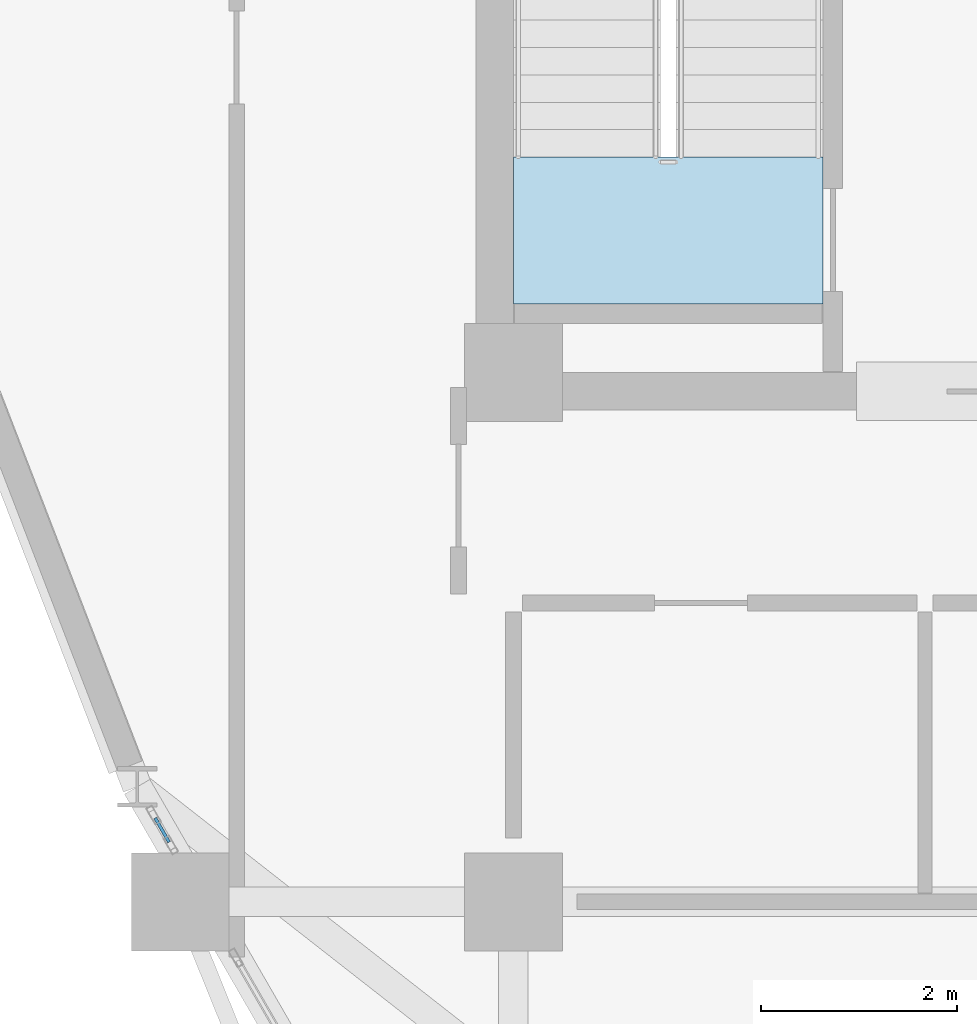
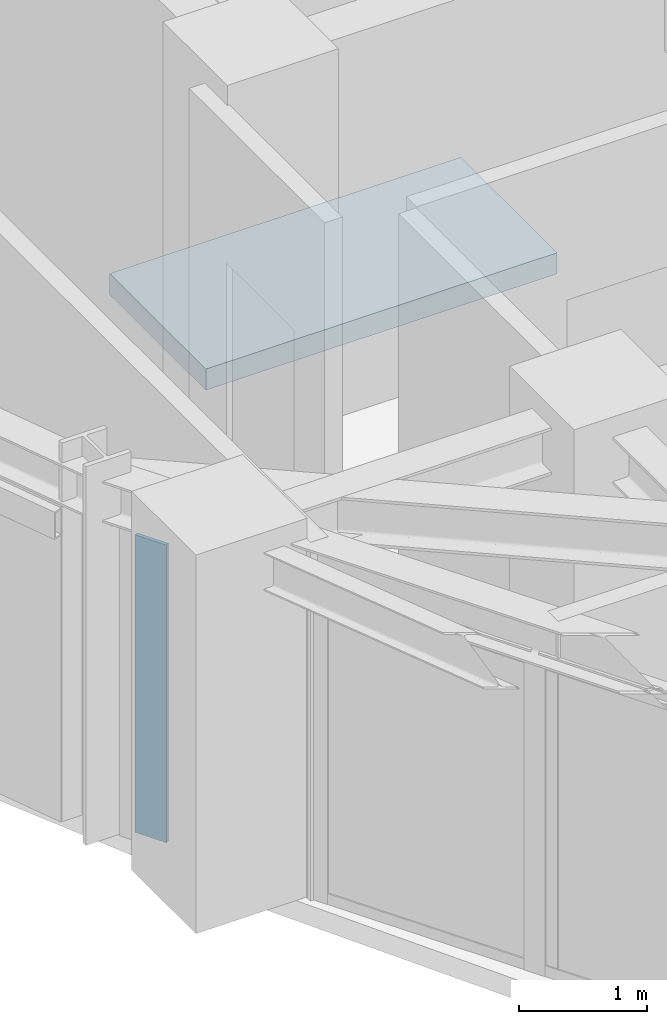
# One storey, part 11 of 16: 1 plate, 1 slab, 1 element without a shape of its own.
"""IFC4 building model written with IfcOpenShell, lengths in metres."""

from ifc_helpers import new_model, si_unit, derived_unit, direction, frame, origin, origin_2d, place, context, subcontext, project, spatial, polyline, rectangle, outline, extrude, source, transform, mapped, material, layer, layer_set, type_object, element, aggregate, save


model = new_model("IFC4")

# Units and contexts
model_context = context("Model", 3, precision=1e-05, world=origin(), true_north=direction((0.0, 1.0)))
body_context = subcontext(model_context, "Body", "Model", "MODEL_VIEW")
ifc_project = project(units=[si_unit("LENGTHUNIT", "METRE"), si_unit("AREAUNIT", "SQUARE_METRE"), si_unit("VOLUMEUNIT", "CUBIC_METRE"), si_unit("PLANEANGLEUNIT", "RADIAN"), si_unit("MASSUNIT", "GRAM", prefix="KILO"), derived_unit("THERMALTRANSMITTANCEUNIT", [(si_unit("POWERUNIT", "WATT"), 1), (si_unit("LENGTHUNIT", "METRE"), -2), (si_unit("THERMODYNAMICTEMPERATUREUNIT", "KELVIN"), -1)])], contexts=[model_context])

# Site, building, storey
site_placement = place(None, origin())
site = spatial("IfcSite", under=ifc_project, at=site_placement, CompositionType="ELEMENT")
building_placement = place(site_placement, origin())
building = spatial("IfcBuilding", under=site, at=building_placement, Name="Korsvarv Bourse and Concert Hall", CompositionType="ELEMENT")
storey_placement = place(building_placement, frame((0.0, 0.0, 216.60009765625)))
storey = spatial("IfcBuildingStorey", under=building, at=storey_placement, Name="L56", CompositionType="ELEMENT", Elevation=216.60009765625)

# Slab
ifc_material_1 = material(Name="Precast concrete C45/55", Category="concrete")
ifc_layer_1 = layer(ifc_material_1, 0.199951171875)
ifc_layer_set_1 = layer_set([ifc_layer_1], Name="Precast concrete C45/55")
slab_type = type_object("IfcSlabType", Name="SLB-FLND-T", PredefinedType="LANDING", material=ifc_layer_set_1)
slab_placement = place(storey_placement, frame((0.0, 0.0, -0.2001953125)))
element("IfcSlab", 1, at=slab_placement, inside=storey, type_object=slab_type, Name="L56 Stair ST-T1 Floor Landing Slab", PredefinedType="LANDING", context=body_context, shape_type="SweptSolid", body=[
    extrude(outline(polyline([(30.760009765625, 38.5), (30.760009765625, 40.0), (27.60009765625, 40.0), (27.60009765625, 38.5), (30.760009765625, 38.5)])), origin(), (0.0, 0.0, 1.0), 0.2001953125),
])

# Curtain wall, plate
ifc_material_2 = material(Name="Anodised aluminium and triple low-E glazing", Category="glass")
ifc_layer_2 = layer(ifc_material_2, 0.199951171875)
ifc_layer_set_2 = layer_set([ifc_layer_2], Name="Anodised aluminium and triple low-E glazing")
curtain_wall_type = type_object("IfcCurtainWallType", Name="CW-SYS-3", PredefinedType="NOTDEFINED", material=ifc_layer_set_2)
curtain_wall_placement = place(storey_placement, origin())
curtain_wall = element("IfcCurtainWall", 2, at=curtain_wall_placement, inside=storey, type_object=curtain_wall_type, Name="L56 CW3 curtain wall CW-L56-F07-1", PredefinedType="NOTDEFINED")
ifc_material_3 = material(Name="Insulated spandrel glass", Category="glass")
ifc_layer_3 = layer(ifc_material_3, 0.031982421875)
ifc_layer_set_3 = layer_set([ifc_layer_3], Name="Insulated spandrel glass")
plate_type = type_object("IfcPlateType", Name="CWP-SPD1", PredefinedType="CURTAIN_PANEL", material=ifc_layer_set_3)
shared_shape = source(origin(), body_context, "Body", "SweptSolid", [
    extrude(rectangle(XDim=0.282958984375, YDim=0.031982421875, at=origin_2d()), origin(), (0.0, 0.0, 1.0), 2.830078125),
])
plate_placement = place(storey_placement, frame((24.01513671875, 33.133056640625, 0.06494140625), z_axis=(0.0, 0.0, 1.0), x_axis=(0.49995447027, -0.866051688791, 0.0)))
plate = element("IfcPlate", 3, at=plate_placement, type_object=plate_type, Name="CW3 spandrel shadow-box panel 1.1", PredefinedType="CURTAIN_PANEL", context=body_context, shape_type="MappedRepresentation", body=[
    mapped(shared_shape, transform((0.0, 0.0, 0.0), scale=1.0)),
])
aggregate(curtain_wall, [plate])

save(model, "model.ifc")
